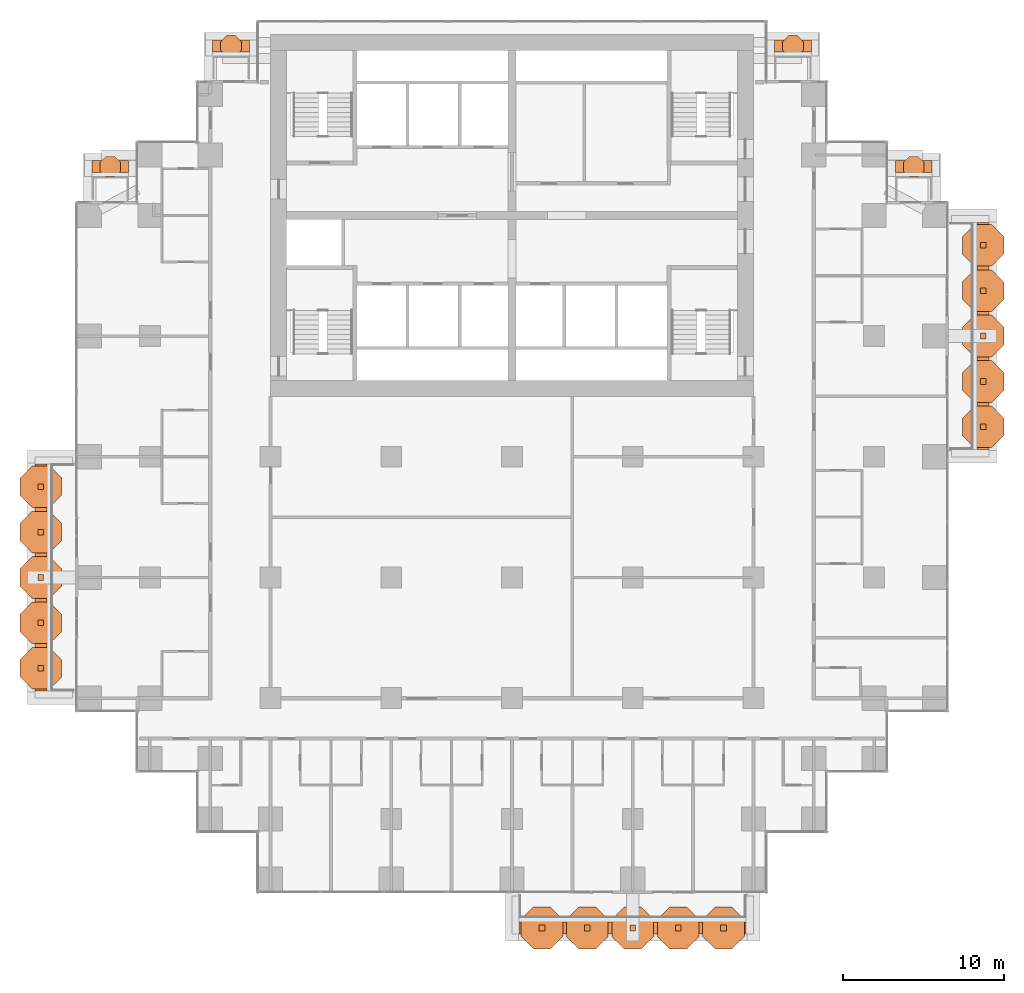
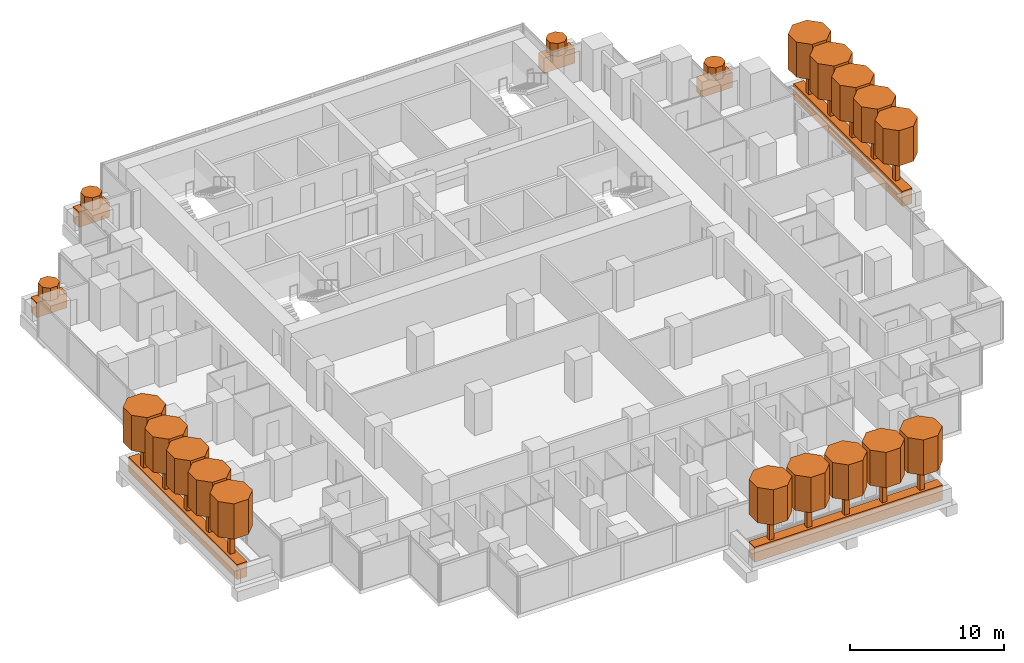
# One storey, part 19 of 19: 41 geographic elements.
"""IFC4 building model written with IfcOpenShell, lengths in metres."""

from ifc_helpers import new_model, si_unit, direction, frame, origin, origin_2d, place, context, subcontext, project, spatial, polyline, rectangle, outline, extrude, material, material_profile, profile_set, type_object, element, save


model = new_model("IFC4")

# Units and contexts
model_context = context("Model", 3, precision=1e-05, world=origin(), true_north=direction((0.0, 1.0)))
body_context = subcontext(model_context, "Body", "Model", "MODEL_VIEW")
ifc_project = project(units=[si_unit("LENGTHUNIT", "METRE"), si_unit("AREAUNIT", "SQUARE_METRE"), si_unit("VOLUMEUNIT", "CUBIC_METRE"), si_unit("PLANEANGLEUNIT", "RADIAN"), si_unit("MASSUNIT", "GRAM", prefix="KILO")], contexts=[model_context])

# Site, building, storey
site_placement = place(None, origin())
site = spatial("IfcSite", under=ifc_project, at=site_placement, CompositionType="ELEMENT")
building_placement = place(site_placement, origin())
building = spatial("IfcBuilding", under=site, at=building_placement, Name="Pilkhan Gate Tower", CompositionType="ELEMENT")
storey_placement = place(building_placement, frame((0.0, 0.0, 72.5)))
storey = spatial("IfcBuildingStorey", under=building, at=storey_placement, Name="L16", CompositionType="ELEMENT", Elevation=72.5)

# Geographic elements
ifc_material_1 = material(Name="Foliage")
ifc_material_profile_1 = material_profile(ifc_material_1, rectangle(XDim=0.75, YDim=1.199951171875, at=origin_2d()), Name="Bed 750x1200")
ifc_profile_set_1 = profile_set([ifc_material_profile_1], Name="Foliage")
geographic_element_type_1 = type_object("IfcGeographicElementType", Name="Planting bed PB1", PredefinedType="USERDEFINED", material=ifc_profile_set_1)
for number, where, z_axis, x_axis, name in (
    (1, (75.449951171875, 38.22509765625, 0.60009765625), (1.0, 0.0, 0.0), (0.0, 1.0, 0.0), "Balcony L16 S planting bed"),
    (2, (104.27490234375, 67.949951171875, 0.60009765625), (0.0, 1.0, 0.0), (-1.0, 0.0, 0.0), "Balcony L16 E planting bed"),
):
    element("IfcGeographicElement", number, at=place(storey_placement, frame(where, z_axis=z_axis, x_axis=x_axis)), inside=storey, type_object=geographic_element_type_1, Name=name, ObjectType="PLANTING BED", PredefinedType="USERDEFINED", context=body_context, shape_type="SweptSolid", body=[
        extrude(rectangle(XDim=0.75, YDim=1.199951171875, at=origin_2d()), origin(), (0.0, 0.0, 1.0), 14.10009765625),
    ])
for number, where, z_axis, x_axis, name in (
    (3, (56.39990234375, 93.02490234375, 0.60009765625), (1.0, 0.0, 0.0), (0.0, 1.0, 0.0), "Balcony L16 N planting bed"),
    (4, (91.300048828125, 93.02490234375, 0.60009765625), (1.0, 0.0, 0.0), (0.0, 1.0, 0.0), "Balcony L16 N planting bed"),
):
    element("IfcGeographicElement", number, at=place(storey_placement, frame(where, z_axis=z_axis, x_axis=x_axis)), inside=storey, type_object=geographic_element_type_1, Name=name, ObjectType="PLANTING BED", PredefinedType="USERDEFINED", context=body_context, shape_type="SweptSolid", body=[
        extrude(rectangle(XDim=0.75, YDim=1.199951171875, at=origin_2d()), origin(), (0.0, 0.0, 1.0), 2.300048828125),
    ])
for number, where, z_axis, x_axis, name in (
    (5, (48.89990234375, 85.52490234375, 0.60009765625), (1.0, 0.0, 0.0), (0.0, 1.0, 0.0), "Balcony L16 N planting bed"),
    (6, (98.820068359375, 85.52490234375, 0.60009765625), (1.0, 0.0, 0.0), (0.0, 1.0, 0.0), "Balcony L16 N planting bed"),
):
    element("IfcGeographicElement", number, at=place(storey_placement, frame(where, z_axis=z_axis, x_axis=x_axis)), inside=storey, type_object=geographic_element_type_1, Name=name, ObjectType="PLANTING BED", PredefinedType="USERDEFINED", context=body_context, shape_type="SweptSolid", body=[
        extrude(rectangle(XDim=0.75, YDim=1.199951171875, at=origin_2d()), origin(), (0.0, 0.0, 1.0), 2.280029296875),
    ])
geographic_element_placement = place(storey_placement, frame((45.72509765625, 52.949951171875, 0.60009765625), z_axis=(0.0, 1.0, 0.0), x_axis=(-1.0, 0.0, 0.0)))
element("IfcGeographicElement", 7, at=geographic_element_placement, inside=storey, type_object=geographic_element_type_1, Name="Balcony L16 W planting bed", ObjectType="PLANTING BED", PredefinedType="USERDEFINED", context=body_context, shape_type="SweptSolid", body=[
    extrude(rectangle(XDim=0.75, YDim=1.199951171875, at=origin_2d()), origin(), (0.0, 0.0, 1.0), 14.10009765625),
])
ifc_material_profile_2 = material_profile(ifc_material_1, outline(polyline([(0.646728515625, 0.267822265625), (0.267822265625, 0.646728515625), (-0.267822265625, 0.646728515625), (-0.646728515625, 0.267822265625), (-0.646728515625, -0.267822265625), (-0.267822265625, -0.646728515625), (0.267822265625, -0.646728515625), (0.646728515625, -0.267822265625), (0.646728515625, 0.267822265625)])), Name="Shrub D1.4")
ifc_profile_set_2 = profile_set([ifc_material_profile_2], Name="Foliage")
geographic_element_type_2 = type_object("IfcGeographicElementType", Name="Shrub SH07", PredefinedType="USERDEFINED", material=ifc_profile_set_2)
for number, where, z_axis, x_axis, name in (
    (8, (57.550048828125, 93.02490234375, 1.199951171875), (0.0, 0.0, 1.0), (1.0, 0.0, 0.0), "Shrub L16 N 1"),
    (9, (92.449951171875, 93.02490234375, 1.199951171875), (0.0, 0.0, 1.0), (1.0, 0.0, 0.0), "Shrub L16 N 1"),
    (10, (50.0400390625, 85.52490234375, 1.199951171875), (0.0, 0.0, 1.0), (1.0, 0.0, 0.0), "Shrub L16 N 1"),
    (11, (99.9599609375, 85.52490234375, 1.199951171875), (0.0, 0.0, 1.0), (1.0, 0.0, 0.0), "Shrub L16 N 1"),
):
    element("IfcGeographicElement", number, at=place(storey_placement, frame(where, z_axis=z_axis, x_axis=x_axis)), inside=storey, type_object=geographic_element_type_2, Name=name, ObjectType="SHRUB", PredefinedType="USERDEFINED", context=body_context, shape_type="SweptSolid", body=[
        extrude(outline(polyline([(0.646728515625, 0.267822265625), (0.267822265625, 0.646728515625), (-0.267822265625, 0.646728515625), (-0.646728515625, 0.267822265625), (-0.646728515625, -0.267822265625), (-0.267822265625, -0.646728515625), (0.267822265625, -0.646728515625), (0.646728515625, -0.267822265625), (0.646728515625, 0.267822265625)])), origin(), (0.0, 0.0, 1.0), 1.0),
    ])
ifc_material_profile_3 = material_profile(ifc_material_1, outline(polyline([(1.29345703125, 0.535888671875), (0.535888671875, 1.29345703125), (-0.535888671875, 1.29345703125), (-1.29345703125, 0.535888671875), (-1.29345703125, -0.535888671875), (-0.535888671875, -1.29345703125), (0.535888671875, -1.29345703125), (1.29345703125, -0.535888671875), (1.29345703125, 0.535888671875)])), Name="Canopy D2.8")
ifc_profile_set_3 = profile_set([ifc_material_profile_3], Name="Foliage")
geographic_element_type_3 = type_object("IfcGeographicElementType", Name="Tree canopy TC14", PredefinedType="USERDEFINED", material=ifc_profile_set_3)
for number, where, z_axis, x_axis, name in (
    (12, (76.860107421875, 38.22509765625, 3.199951171875), (0.0, 0.0, 1.0), (1.0, 0.0, 0.0), "Tree L16 S 1 canopy"),
    (13, (79.679931640625, 38.22509765625, 3.199951171875), (0.0, 0.0, 1.0), (1.0, 0.0, 0.0), "Tree L16 S 2 canopy"),
    (14, (82.5, 38.22509765625, 3.199951171875), (0.0, 0.0, 1.0), (1.0, 0.0, 0.0), "Tree L16 S 3 canopy"),
    (15, (85.320068359375, 38.22509765625, 3.199951171875), (0.0, 0.0, 1.0), (1.0, 0.0, 0.0), "Tree L16 S 4 canopy"),
    (16, (88.139892578125, 38.22509765625, 3.199951171875), (0.0, 0.0, 1.0), (1.0, 0.0, 0.0), "Tree L16 S 5 canopy"),
    (17, (104.27490234375, 69.360107421875, 3.199951171875), (0.0, 0.0, 1.0), (1.0, 0.0, 0.0), "Tree L16 E 1 canopy"),
    (18, (104.27490234375, 72.179931640625, 3.199951171875), (0.0, 0.0, 1.0), (1.0, 0.0, 0.0), "Tree L16 E 2 canopy"),
    (19, (104.27490234375, 75.0, 3.199951171875), (0.0, 0.0, 1.0), (1.0, 0.0, 0.0), "Tree L16 E 3 canopy"),
    (20, (104.27490234375, 77.820068359375, 3.199951171875), (0.0, 0.0, 1.0), (1.0, 0.0, 0.0), "Tree L16 E 4 canopy"),
    (21, (104.27490234375, 80.639892578125, 3.199951171875), (0.0, 0.0, 1.0), (1.0, 0.0, 0.0), "Tree L16 E 5 canopy"),
    (22, (45.72509765625, 54.360107421875, 3.199951171875), (0.0, 0.0, 1.0), (1.0, 0.0, 0.0), "Tree L16 W 1 canopy"),
    (23, (45.72509765625, 57.179931640625, 3.199951171875), (0.0, 0.0, 1.0), (1.0, 0.0, 0.0), "Tree L16 W 2 canopy"),
    (24, (45.72509765625, 60.0, 3.199951171875), (0.0, 0.0, 1.0), (1.0, 0.0, 0.0), "Tree L16 W 3 canopy"),
    (25, (45.72509765625, 62.820068359375, 3.199951171875), (0.0, 0.0, 1.0), (1.0, 0.0, 0.0), "Tree L16 W 4 canopy"),
    (26, (45.72509765625, 65.639892578125, 3.199951171875), (0.0, 0.0, 1.0), (1.0, 0.0, 0.0), "Tree L16 W 5 canopy"),
):
    element("IfcGeographicElement", number, at=place(storey_placement, frame(where, z_axis=z_axis, x_axis=x_axis)), inside=storey, type_object=geographic_element_type_3, Name=name, ObjectType="TREE", PredefinedType="USERDEFINED", context=body_context, shape_type="SweptSolid", body=[
        extrude(outline(polyline([(1.29345703125, 0.535888671875), (0.535888671875, 1.29345703125), (-0.535888671875, 1.29345703125), (-1.29345703125, 0.535888671875), (-1.29345703125, -0.535888671875), (-0.535888671875, -1.29345703125), (0.535888671875, -1.29345703125), (1.29345703125, -0.535888671875), (1.29345703125, 0.535888671875)])), origin(), (0.0, 0.0, 1.0), 2.800048828125),
    ])
ifc_material_2 = material(Name="Timber trunk", Category="wood")
geographic_element_type_4 = type_object("IfcGeographicElementType", Name="Tree trunk TT1", PredefinedType="USERDEFINED", material=ifc_material_2)
for number, where, z_axis, x_axis, name in (
    (27, (76.860107421875, 38.22509765625, 1.199951171875), (0.0, 0.0, 1.0), (1.0, 0.0, 0.0), "Tree L16 S 1 trunk"),
    (28, (79.679931640625, 38.22509765625, 1.199951171875), (0.0, 0.0, 1.0), (1.0, 0.0, 0.0), "Tree L16 S 2 trunk"),
    (29, (82.5, 38.22509765625, 1.199951171875), (0.0, 0.0, 1.0), (1.0, 0.0, 0.0), "Tree L16 S 3 trunk"),
    (30, (85.320068359375, 38.22509765625, 1.199951171875), (0.0, 0.0, 1.0), (1.0, 0.0, 0.0), "Tree L16 S 4 trunk"),
    (31, (88.139892578125, 38.22509765625, 1.199951171875), (0.0, 0.0, 1.0), (1.0, 0.0, 0.0), "Tree L16 S 5 trunk"),
    (32, (104.27490234375, 69.360107421875, 1.199951171875), (0.0, 0.0, 1.0), (1.0, 0.0, 0.0), "Tree L16 E 1 trunk"),
    (33, (104.27490234375, 72.179931640625, 1.199951171875), (0.0, 0.0, 1.0), (1.0, 0.0, 0.0), "Tree L16 E 2 trunk"),
    (34, (104.27490234375, 75.0, 1.199951171875), (0.0, 0.0, 1.0), (1.0, 0.0, 0.0), "Tree L16 E 3 trunk"),
    (35, (104.27490234375, 77.820068359375, 1.199951171875), (0.0, 0.0, 1.0), (1.0, 0.0, 0.0), "Tree L16 E 4 trunk"),
    (36, (104.27490234375, 80.639892578125, 1.199951171875), (0.0, 0.0, 1.0), (1.0, 0.0, 0.0), "Tree L16 E 5 trunk"),
    (37, (45.72509765625, 54.360107421875, 1.199951171875), (0.0, 0.0, 1.0), (1.0, 0.0, 0.0), "Tree L16 W 1 trunk"),
    (38, (45.72509765625, 57.179931640625, 1.199951171875), (0.0, 0.0, 1.0), (1.0, 0.0, 0.0), "Tree L16 W 2 trunk"),
    (39, (45.72509765625, 60.0, 1.199951171875), (0.0, 0.0, 1.0), (1.0, 0.0, 0.0), "Tree L16 W 3 trunk"),
    (40, (45.72509765625, 62.820068359375, 1.199951171875), (0.0, 0.0, 1.0), (1.0, 0.0, 0.0), "Tree L16 W 4 trunk"),
    (41, (45.72509765625, 65.639892578125, 1.199951171875), (0.0, 0.0, 1.0), (1.0, 0.0, 0.0), "Tree L16 W 5 trunk"),
):
    element("IfcGeographicElement", number, at=place(storey_placement, frame(where, z_axis=z_axis, x_axis=x_axis)), inside=storey, type_object=geographic_element_type_4, Name=name, ObjectType="TREE", PredefinedType="USERDEFINED", context=body_context, shape_type="SweptSolid", body=[
        extrude(rectangle(XDim=0.35009765625, YDim=0.35009765625, at=origin_2d()), origin(), (0.0, 0.0, 1.0), 2.0),
    ])

save(model, "model.ifc")
